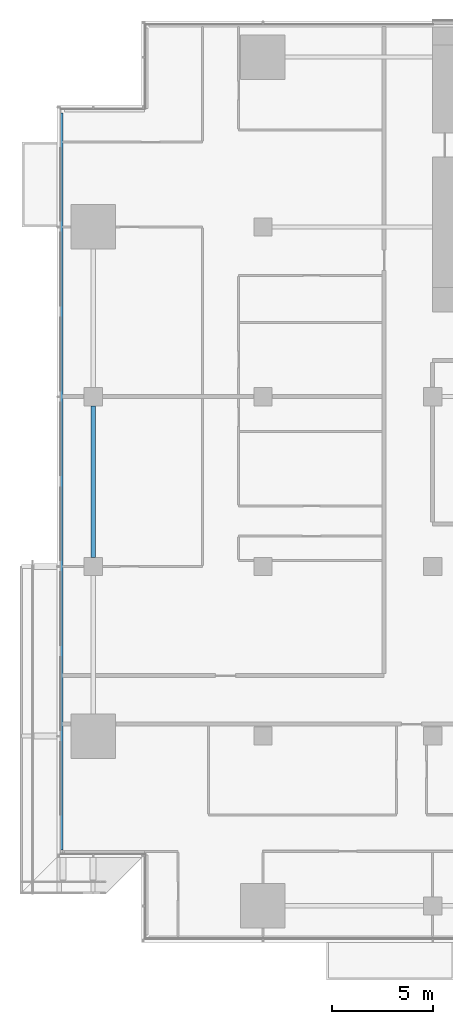
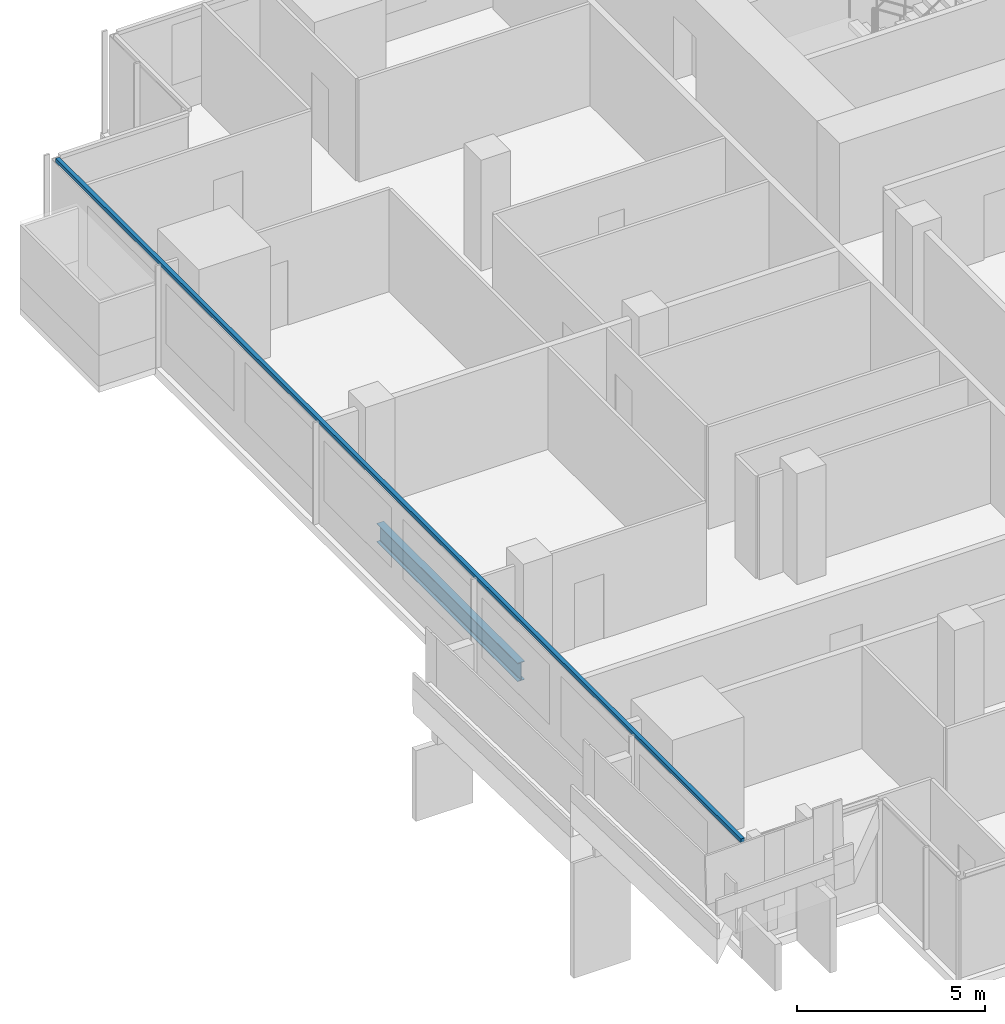
# One storey, part 3 of 29: 1 beam, 1 member, 1 element without a shape of its own.
"""IFC4 building model written with IfcOpenShell, lengths in metres."""

import ifcopenshell
import ifcopenshell.guid

model = None  # the IFC model being written
_history = None  # IfcOwnerHistory: only IFC2X3 demands one
_inside = {}  # id of a spatial element -> (the spatial element, [elements in it])
_under = {}  # id of a project, library or spatial element -> (it, [spatial elements below it])
_declared = {}  # id of a project -> (the project, [libraries it declares])
_typed = {}  # id of a type object -> (the type object, [elements of that type])
_made_of = {}  # id of a material, layer set ... -> (it, [elements and type objects made of it])


def new_model(schema):
    """Start an empty IFC model of exactly this schema.

    Asked for "IFC4X3", IfcOpenShell would pick the latest addendum, in which some entities
    have other attributes; the version numbers below select the first issue.
    IFC2X3 requires an IfcOwnerHistory on every rooted entity: one is made here for all.
    """
    global model, _history
    if schema == "IFC4X3":
        model = ifcopenshell.file(schema_version=(4, 3, 0, 0))
    else:
        model = ifcopenshell.file(schema=schema)
    _inside.clear()
    _under.clear()
    _declared.clear()
    _typed.clear()
    _made_of.clear()
    _history = None
    if model.schema == "IFC2X3":
        org = make("IfcOrganization", Name="unknown")
        user = make(
            "IfcPersonAndOrganization",
            ThePerson=make("IfcPerson", FamilyName="unknown"),
            TheOrganization=org,
        )
        app = make(
            "IfcApplication",
            ApplicationDeveloper=org,
            Version="unknown",
            ApplicationFullName="unknown",
            ApplicationIdentifier="unknown",
        )
        _history = make(
            "IfcOwnerHistory",
            OwningUser=user,
            OwningApplication=app,
            ChangeAction="ADDED",
            CreationDate=0,
        )
    return model


def make(cls, **values):
    """One entity of the class cls with the attributes given. An attribute that is None is left unset."""
    return model.create_entity(
        cls, **{name: value for name, value in values.items() if value is not None}
    )


def rooted(cls, **values):
    """An entity with a GlobalId (a new one), such as an element, a storey or a relation."""
    return make(cls, GlobalId=ifcopenshell.guid.new(), OwnerHistory=_history, **values)


def si_unit(unit_type, name, prefix=None):
    """IfcSIUnit, for example si_unit("LENGTHUNIT", "METRE", prefix="MILLI")."""
    return make("IfcSIUnit", UnitType=unit_type, Prefix=prefix, Name=name)


def assignment(units):
    """IfcUnitAssignment: the units of a project."""
    return None if units is None else make("IfcUnitAssignment", Units=units)


def point(xyz):
    """IfcCartesianPoint."""
    return None if xyz is None else make("IfcCartesianPoint", Coordinates=xyz)


def direction(xyz):
    """IfcDirection."""
    return None if xyz is None else make("IfcDirection", DirectionRatios=xyz)


def frame(location, z_axis=None, x_axis=None):
    """IfcAxis2Placement3D, a coordinate frame: its origin and axes. An axis left out is left unset."""
    return make(
        "IfcAxis2Placement3D",
        Location=point(location),
        Axis=direction(z_axis),
        RefDirection=direction(x_axis),
    )


def frame_2d(location, x_axis=None):
    """IfcAxis2Placement2D, a coordinate frame in the plane: its origin and x axis."""
    return make(
        "IfcAxis2Placement2D", Location=point(location), RefDirection=direction(x_axis)
    )


def origin():
    """The frame at (0, 0, 0) with its axes left unset."""
    return frame((0.0, 0.0, 0.0))


def origin_2d():
    """The frame at (0, 0) in the plane with its x axis left unset."""
    return frame_2d((0.0, 0.0))


def place(relative_to, where):
    """IfcLocalPlacement: puts the frame where relative to a parent placement (None: the world)."""
    return make(
        "IfcLocalPlacement", PlacementRelTo=relative_to, RelativePlacement=where
    )


def context(
    kind, dimensions, precision=None, world=None, true_north=None, identifier=None
):
    """IfcGeometricRepresentationContext, for example the 3D "Model" context."""
    return make(
        "IfcGeometricRepresentationContext",
        ContextIdentifier=identifier,
        ContextType=kind,
        CoordinateSpaceDimension=dimensions,
        Precision=precision,
        WorldCoordinateSystem=world,
        TrueNorth=true_north,
    )


def subcontext(parent, identifier, kind, view, scale=None):
    """IfcGeometricRepresentationSubContext, for example "Body" below "Model"."""
    return make(
        "IfcGeometricRepresentationSubContext",
        ContextIdentifier=identifier,
        ContextType=kind,
        ParentContext=parent,
        TargetScale=scale,
        TargetView=view,
    )


def project(units=None, contexts=None):
    """IfcProject with its units and contexts."""
    return rooted(
        "IfcProject",
        Name="project",
        RepresentationContexts=contexts,
        UnitsInContext=assignment(units),
    )


def spatial(cls, under=None, at=None, **own):
    """A site, building, storey or space (cls), placed at a placement, below another one or the project."""
    s = rooted(cls, ObjectPlacement=at, **own)
    if under is not None:
        _under.setdefault(under.id(), (under, []))[1].append(s)
    return s


def profile(cls, at=None, kind="AREA", **sizes):
    """A parametric profile (cls). Its sizes go by their IFC names, for example OverallWidth=200.0."""
    return make(cls, ProfileType=kind, Position=at, **sizes)


def rectangle(**sizes):
    """IfcRectangleProfileDef."""
    return profile("IfcRectangleProfileDef", **sizes)


def i_section(**sizes):
    """IfcIShapeProfileDef."""
    return profile("IfcIShapeProfileDef", **sizes)


def extrude(swept, where, along, depth):
    """IfcExtrudedAreaSolid: the profile swept, set in the frame where, extruded along a direction by depth."""
    return make(
        "IfcExtrudedAreaSolid",
        SweptArea=swept,
        Position=where,
        ExtrudedDirection=direction(along),
        Depth=depth,
    )


def shape(context_of_items, identifier, shape_type, items):
    """IfcShapeRepresentation: the items that make up one representation, for example the "Body"."""
    return make(
        "IfcShapeRepresentation",
        ContextOfItems=context_of_items,
        RepresentationIdentifier=identifier,
        RepresentationType=shape_type,
        Items=items,
    )


def material(Name=None, Category=None):
    """IfcMaterial."""
    return make("IfcMaterial", Name=Name, Category=Category)


def material_profile(
    of_material, cross_section, Name=None, Category=None, Priority=None
):
    """IfcMaterialProfile: a cross section and its material."""
    return make(
        "IfcMaterialProfile",
        Name=Name,
        Material=of_material,
        Profile=cross_section,
        Priority=Priority,
        Category=Category,
    )


def profile_set(profiles, Name=None, composite=None):
    """IfcMaterialProfileSet."""
    return make(
        "IfcMaterialProfileSet",
        Name=Name,
        MaterialProfiles=profiles,
        CompositeProfile=composite,
    )


def made_of(thing, what):
    """Note that an element or type object is made of a material, layer set ...; save() writes the relation."""
    if what is not None:
        _made_of.setdefault(what.id(), (what, []))[1].append(thing)
    return thing


def type_object(cls, material=None, **own):
    """A type object (cls), such as IfcWallType, which elements share."""
    return made_of(rooted(cls, **own), material)


def element(
    cls,
    number,
    at=None,
    inside=None,
    cuts=None,
    type_object=None,
    material=None,
    context=None,
    identifier="Body",
    shape_type=None,
    held_by="IfcProductDefinitionShape",
    body=None,
    shapes=None,
    **own,
):
    """One element of the class cls, such as IfcWall. Its Tag is "e" and its number.

    at: its placement. inside: the storey or other place that contains it. cuts: it is an
    opening in that element (IfcRelVoidsElement). A single representation is given by context,
    identifier, shape_type and body (its items); several are given by shapes. held_by: the class
    of the entity that holds the representations. save() writes the other relations.
    """
    e = rooted(cls, Tag="e%d" % number, ObjectPlacement=at, **own)
    if body is not None:
        shapes = [shape(context, identifier, shape_type, body)]
    if shapes is not None:
        e.Representation = make(held_by, Representations=shapes)
    if inside is not None:
        _inside.setdefault(inside.id(), (inside, []))[1].append(e)
    if cuts is not None:
        rooted(
            "IfcRelVoidsElement", RelatingBuildingElement=cuts, RelatedOpeningElement=e
        )
    if type_object is not None:
        _typed.setdefault(type_object.id(), (type_object, []))[1].append(e)
    return made_of(e, material)


def aggregate(whole, parts):
    """IfcRelAggregates: a whole, such as a stair, and the parts it consists of."""
    return rooted("IfcRelAggregates", RelatingObject=whole, RelatedObjects=parts)


def save(model, path):
    """Write the relations noted so far, then the file.

    IfcRelAggregates (storeys below a building ...), IfcRelContainedInSpatialStructure (elements
    in a storey), IfcRelDefinesByType, IfcRelAssociatesMaterial and IfcRelDeclares: one each for
    every whole, place, type object, material and project.
    """
    for whole, parts in _under.values():
        aggregate(whole, parts)
    for where, things in _inside.values():
        rooted(
            "IfcRelContainedInSpatialStructure",
            RelatedElements=things,
            RelatingStructure=where,
        )
    for kind, things in _typed.values():
        rooted("IfcRelDefinesByType", RelatedObjects=things, RelatingType=kind)
    for what, things in _made_of.values():
        rooted("IfcRelAssociatesMaterial", RelatedObjects=things, RelatingMaterial=what)
    for by, libraries in _declared.values():
        rooted("IfcRelDeclares", RelatingContext=by, RelatedDefinitions=libraries)
    model.write(path)


model = new_model("IFC4")

# Units and contexts
model_context = context("Model", 3, precision=1e-05, world=origin(), true_north=direction((0.0, 1.0)))
body_context = subcontext(model_context, "Body", "Model", "MODEL_VIEW")
ifc_project = project(units=[si_unit("LENGTHUNIT", "METRE"), si_unit("AREAUNIT", "SQUARE_METRE"), si_unit("VOLUMEUNIT", "CUBIC_METRE"), si_unit("PLANEANGLEUNIT", "RADIAN"), si_unit("MASSUNIT", "GRAM", prefix="KILO")], contexts=[model_context])

# Site, building, storey
site_placement = place(None, origin())
site = spatial("IfcSite", under=ifc_project, at=site_placement, CompositionType="ELEMENT")
building_placement = place(site_placement, origin())
building = spatial("IfcBuilding", under=site, at=building_placement, Name="Saffron Gate Tower", CompositionType="ELEMENT")
storey_placement = place(building_placement, frame((0.0, 0.0, 55.199951171875)))
storey = spatial("IfcBuildingStorey", under=building, at=storey_placement, Name="L12", CompositionType="ELEMENT", Elevation=55.199951171875)

# Beam
ifc_material_1 = material(Name="Structural steel S355", Category="steel")
ifc_material_profile_1 = material_profile(ifc_material_1, i_section(OverallWidth=0.219970703125, OverallDepth=0.60009765625, WebThickness=0.011962890625, FlangeThickness=0.01904296875, FilletRadius=0.02392578125, at=origin_2d()))
ifc_profile_set_1 = profile_set([ifc_material_profile_1], Name="Structural steel S355")
beam_type = type_object("IfcBeamType", Name="B16 IPE 600", PredefinedType="SPANDREL", material=ifc_profile_set_1)
beam_placement = place(storey_placement, frame((49.800048828125, 49.050048828125, -0.579833984375), z_axis=(0.0, 1.0, 0.0), x_axis=(-1.0, 0.0, 0.0)))
element("IfcBeam", 1, at=beam_placement, inside=storey, type_object=beam_type, Name="B16 SPANDREL BEAM", PredefinedType="SPANDREL", context=body_context, shape_type="SweptSolid", body=[
    extrude(i_section(OverallWidth=0.219970703125, OverallDepth=0.60009765625, WebThickness=0.011962890625, FlangeThickness=0.01904296875, FilletRadius=0.02392578125, at=origin_2d()), origin(), (0.0, 0.0, 1.0), 7.5),
])

# Curtain wall, member
ifc_material_2 = material(Name="Aluminium, bronze anodised", Category="aluminium")
curtain_wall_type = type_object("IfcCurtainWallType", Name="CWS2 curtain wall side facades", PredefinedType="NOTDEFINED", material=ifc_material_2)
curtain_wall_placement = place(storey_placement, origin())
curtain_wall = element("IfcCurtainWall", 2, at=curtain_wall_placement, inside=storey, type_object=curtain_wall_type, Name="CWS2 run 10", PredefinedType="NOTDEFINED")
ifc_material_profile_2 = material_profile(ifc_material_2, rectangle(XDim=0.1201171875, YDim=0.1201171875, at=origin_2d()))
ifc_profile_set_2 = profile_set([ifc_material_profile_2], Name="Aluminium, bronze anodised")
member_type = type_object("IfcMemberType", Name="CWS2 head transom", PredefinedType="USERDEFINED", material=ifc_profile_set_2)
member_placement = place(storey_placement, frame((48.248046875, 71.031982421875, 3.260009765625), z_axis=(0.0, -1.0, 0.0), x_axis=(1.0, 0.0, 0.0)))
member = element("IfcMember", 3, at=member_placement, type_object=member_type, Name="CWS2 head transom", ObjectType="TRANSOM", PredefinedType="USERDEFINED", context=body_context, shape_type="SweptSolid", body=[
    extrude(rectangle(XDim=0.1201171875, YDim=0.1201171875, at=origin_2d()), origin(), (0.0, 0.0, 1.0), 36.4638671875),
])
aggregate(curtain_wall, [member])

save(model, "model.ifc")
